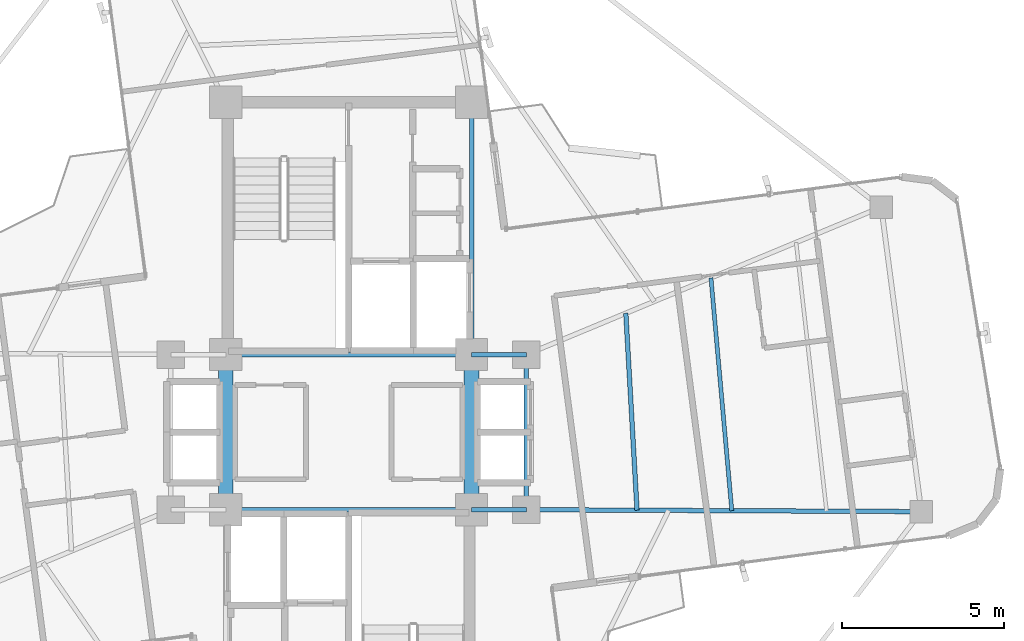
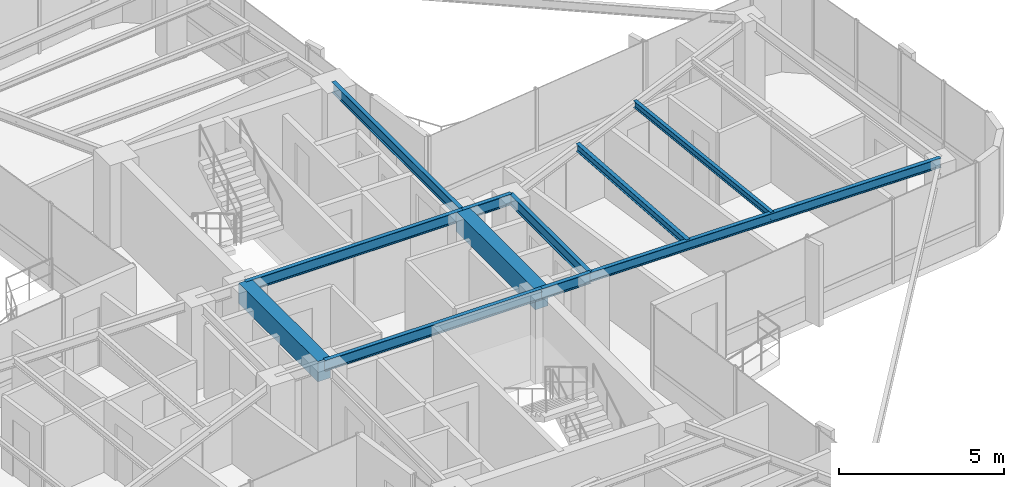
# One storey, part 10 of 22: 11 beams.
"""IFC4 building model written with IfcOpenShell, lengths in metres."""

from ifc_helpers import new_model, si_unit, direction, frame, origin, origin_2d, place, context, subcontext, project, spatial, rectangle, i_section, extrude, source, transform, mapped, material, material_profile, profile_set, type_object, element, save


model = new_model("IFC4")

# Units and contexts
model_context = context("Model", 3, precision=1e-05, world=origin(), true_north=direction((0.0, 1.0)))
body_context = subcontext(model_context, "Body", "Model", "MODEL_VIEW")
ifc_project = project(units=[si_unit("LENGTHUNIT", "METRE"), si_unit("AREAUNIT", "SQUARE_METRE"), si_unit("VOLUMEUNIT", "CUBIC_METRE"), si_unit("PLANEANGLEUNIT", "RADIAN"), si_unit("MASSUNIT", "GRAM", prefix="KILO")], contexts=[model_context])

# Site, building, storey
site_placement = place(None, origin())
site = spatial("IfcSite", under=ifc_project, at=site_placement, CompositionType="ELEMENT")
building_placement = place(site_placement, origin())
building = spatial("IfcBuilding", under=site, at=building_placement, Name="Sahyath Konkavel Grand Hotel", CompositionType="ELEMENT")
storey_placement = place(building_placement, frame((0.0, 0.0, 269.10009765625)))
storey = spatial("IfcBuildingStorey", under=building, at=storey_placement, Name="L75", CompositionType="ELEMENT", Elevation=269.10009765625)

# Beams
ifc_material_1 = material(Name="Steel E350", Category="steel")
ifc_material_profile_1 = material_profile(ifc_material_1, i_section(OverallWidth=0.139892578125, OverallDepth=0.39990234375, WebThickness=0.0087890625, FlangeThickness=0.01611328125, FilletRadius=0.013916015625, at=origin_2d()), Name="ISMB 400")
ifc_profile_set_1 = profile_set([ifc_material_profile_1], Name="Steel E350")
beam_type_1 = type_object("IfcBeamType", Name="BM-ISMB400", PredefinedType="BEAM", material=ifc_profile_set_1)
shared_shape_1 = source(origin(), body_context, "Body", "SweptSolid", [
    extrude(i_section(OverallWidth=0.139892578125, OverallDepth=0.39990234375, WebThickness=0.0087890625, FlangeThickness=0.01611328125, FilletRadius=0.013916015625, at=origin_2d()), origin(), (0.0, 0.0, 1.0), 7.60009765625),
])
for number, where, z_axis, x_axis, name in (
    (1, (-3.800048828125, 2.39990234375, 2.909912109375), (1.0, 0.0, 0.0), (0.0, 1.0, 0.0), "str:bm:L75:NC-S"),
    (2, (-3.800048828125, -2.39990234375, 2.909912109375), (1.0, 0.0, 0.0), (0.0, 1.0, 0.0), "str:bm:L75:SC-N"),
):
    element("IfcBeam", number, at=place(storey_placement, frame(where, z_axis=z_axis, x_axis=x_axis)), inside=storey, type_object=beam_type_1, Name=name, PredefinedType="BEAM", context=body_context, shape_type="MappedRepresentation", body=[
        mapped(shared_shape_1, transform((0.0, 0.0, 0.0), scale=1.0)),
    ])
shared_shape_2 = source(origin(), body_context, "Body", "SweptSolid", [
    extrude(i_section(OverallWidth=0.139892578125, OverallDepth=0.39990234375, WebThickness=0.0087890625, FlangeThickness=0.01611328125, FilletRadius=0.013916015625, at=origin_2d()), origin(), (0.0, 0.0, 1.0), 7.800048828125),
])
beam_1_placement = place(storey_placement, frame((3.800048828125, 2.39990234375, 2.909912109375), z_axis=(0.0, 1.0, 0.0), x_axis=(-1.0, 0.0, 0.0)))
element("IfcBeam", 3, at=beam_1_placement, inside=storey, type_object=beam_type_1, Name="str:bm:L75:NC-E", PredefinedType="BEAM", context=body_context, shape_type="MappedRepresentation", body=[
    mapped(shared_shape_2, transform((0.0, 0.0, 0.0), scale=1.0)),
])
shared_shape_3 = source(origin(), body_context, "Body", "SweptSolid", [
    extrude(i_section(OverallWidth=0.139892578125, OverallDepth=0.39990234375, WebThickness=0.0087890625, FlangeThickness=0.01611328125, FilletRadius=0.013916015625, at=origin_2d()), origin(), (0.0, 0.0, 1.0), 1.699951171875),
])
for number, where, z_axis, x_axis, name in (
    (4, (3.800048828125, 2.39990234375, 2.909912109375), (1.0, 0.0, 0.0), (0.0, 1.0, 0.0), "str:bm:L75:HB-NE"),
    (5, (3.800048828125, -2.39990234375, 2.909912109375), (1.0, 0.0, 0.0), (0.0, 1.0, 0.0), "str:bm:L75:HB-SE"),
):
    element("IfcBeam", number, at=place(storey_placement, frame(where, z_axis=z_axis, x_axis=x_axis)), inside=storey, type_object=beam_type_1, Name=name, PredefinedType="BEAM", context=body_context, shape_type="MappedRepresentation", body=[
        mapped(shared_shape_3, transform((0.0, 0.0, 0.0), scale=1.0)),
    ])
shared_shape_4 = source(origin(), body_context, "Body", "SweptSolid", [
    extrude(i_section(OverallWidth=0.139892578125, OverallDepth=0.39990234375, WebThickness=0.0087890625, FlangeThickness=0.01611328125, FilletRadius=0.013916015625, at=origin_2d()), origin(), (0.0, 0.0, 1.0), 4.7998046875),
])
beam_2_placement = place(storey_placement, frame((5.5, -2.39990234375, 2.909912109375), z_axis=(0.0, 1.0, 0.0), x_axis=(-1.0, 0.0, 0.0)))
element("IfcBeam", 6, at=beam_2_placement, inside=storey, type_object=beam_type_1, Name="str:bm:L75:HB-E", PredefinedType="BEAM", context=body_context, shape_type="MappedRepresentation", body=[
    mapped(shared_shape_4, transform((0.0, 0.0, 0.0), scale=1.0)),
])
ifc_material_2 = material(Name="Concrete C40/50", Category="concrete")
ifc_material_profile_2 = material_profile(ifc_material_2, rectangle(XDim=0.449951171875, YDim=0.75, at=origin_2d()), Name="RC 450x750")
ifc_profile_set_2 = profile_set([ifc_material_profile_2], Name="Concrete C40/50")
beam_type_2 = type_object("IfcBeamType", Name="BM-CB450x750", PredefinedType="LINTEL", material=ifc_profile_set_2)
shared_shape_5 = source(origin(), body_context, "Body", "SweptSolid", [
    extrude(rectangle(XDim=0.449951171875, YDim=0.75, at=origin_2d()), origin(), (0.0, 0.0, 1.0), 4.7998046875),
])
for number, where, z_axis, x_axis, name in (
    (7, (-3.800048828125, -2.39990234375, 2.73486328125), (0.0, 1.0, 0.0), (-1.0, 0.0, 0.0), "L75 Split-Core Coupling Beam West"),
    (8, (3.800048828125, -2.39990234375, 2.73486328125), (0.0, 1.0, 0.0), (-1.0, 0.0, 0.0), "L75 Split-Core Coupling Beam East"),
):
    element("IfcBeam", number, at=place(storey_placement, frame(where, z_axis=z_axis, x_axis=x_axis)), inside=storey, type_object=beam_type_2, Name=name, PredefinedType="LINTEL", context=body_context, shape_type="MappedRepresentation", body=[
        mapped(shared_shape_5, transform((0.0, 0.0, 0.0), scale=1.0)),
    ])
ifc_material_profile_3 = material_profile(ifc_material_1, i_section(OverallWidth=0.139892578125, OverallDepth=0.35009765625, WebThickness=0.008056640625, FlangeThickness=0.01416015625, FilletRadius=0.013916015625, at=origin_2d()), Name="ISMB 350")
ifc_profile_set_3 = profile_set([ifc_material_profile_3], Name="Steel E350")
beam_type_3 = type_object("IfcBeamType", Name="BM-ISMB350", PredefinedType="BEAM", material=ifc_profile_set_3)
shared_shape_6 = source(origin(), body_context, "Body", "SweptSolid", [
    extrude(i_section(OverallWidth=0.139892578125, OverallDepth=0.35009765625, WebThickness=0.008056640625, FlangeThickness=0.01416015625, FilletRadius=0.013916015625, at=origin_2d()), origin(), (0.0, 0.0, 1.0), 12.212646484375),
])
beam_3_placement = place(storey_placement, frame((5.5, -2.39990234375, 2.934814453125), z_axis=(0.999988297706, -0.004837814722, 0.0), x_axis=(0.004837814722, 0.999988297706, 0.0)))
element("IfcBeam", 9, at=beam_3_placement, inside=storey, type_object=beam_type_3, Name="L75 Cruciform Radial Girder EA", PredefinedType="BEAM", context=body_context, shape_type="MappedRepresentation", body=[
    mapped(shared_shape_6, transform((0.0, 0.0, 0.0), scale=1.0)),
])
ifc_material_profile_4 = material_profile(ifc_material_1, i_section(OverallWidth=0.139892578125, OverallDepth=0.27490234375, WebThickness=0.00634765625, FlangeThickness=0.0087890625, FilletRadius=0.012939453125, at=origin_2d()), Name="ISLB 275")
ifc_profile_set_4 = profile_set([ifc_material_profile_4], Name="Steel E350")
beam_type_4 = type_object("IfcBeamType", Name="BM-ISLB275", PredefinedType="BEAM", material=ifc_profile_set_4)
shared_shape_7 = source(origin(), body_context, "Body", "SweptSolid", [
    extrude(i_section(OverallWidth=0.139892578125, OverallDepth=0.27490234375, WebThickness=0.00634765625, FlangeThickness=0.0087890625, FilletRadius=0.012939453125, at=origin_2d()), origin(), (0.0, 0.0, 1.0), 6.10302734375),
])
beam_4_placement = place(storey_placement, frame((8.91943359375, -2.41650390625, 2.972412109375), z_axis=(-0.056883465537, 0.99838082481, 0.0), x_axis=(-0.99838082481, -0.056883465537, 0.0)))
element("IfcBeam", 10, at=beam_4_placement, inside=storey, type_object=beam_type_4, Name="L75 Secondary Floor Beam E-1", PredefinedType="BEAM", context=body_context, shape_type="MappedRepresentation", body=[
    mapped(shared_shape_7, transform((0.0, 0.0, 0.0), scale=1.0)),
])
ifc_material_profile_5 = material_profile(ifc_material_1, i_section(OverallWidth=0.125, OverallDepth=0.25, WebThickness=0.0068359375, FlangeThickness=0.012451171875, FilletRadius=0.012939453125, at=origin_2d()), Name="ISMB 250")
ifc_profile_set_5 = profile_set([ifc_material_profile_5], Name="Steel E350")
beam_type_5 = type_object("IfcBeamType", Name="BM-ISMB250", PredefinedType="BEAM", material=ifc_profile_set_5)
shared_shape_8 = source(origin(), body_context, "Body", "SweptSolid", [
    extrude(i_section(OverallWidth=0.125, OverallDepth=0.25, WebThickness=0.0068359375, FlangeThickness=0.012451171875, FilletRadius=0.012939453125, at=origin_2d()), origin(), (0.0, 0.0, 1.0), 7.23046875),
])
beam_5_placement = place(storey_placement, frame((11.8505859375, -2.4306640625, 2.98486328125), z_axis=(-0.089174799421, 0.996015991412, 0.0), x_axis=(-0.996015991412, -0.089174799421, 0.0)))
element("IfcBeam", 11, at=beam_5_placement, inside=storey, type_object=beam_type_5, Name="L75 Secondary Floor Beam E-2", PredefinedType="BEAM", context=body_context, shape_type="MappedRepresentation", body=[
    mapped(shared_shape_8, transform((0.0, 0.0, 0.0), scale=1.0)),
])

save(model, "model.ifc")
